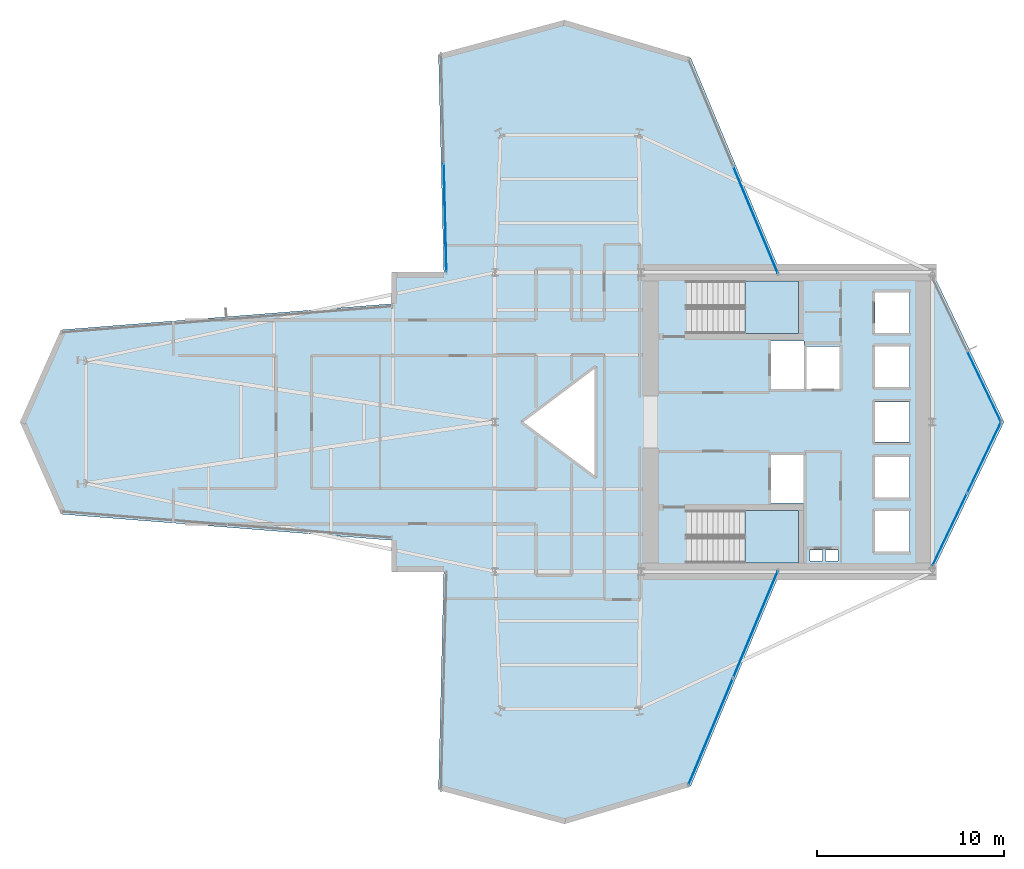
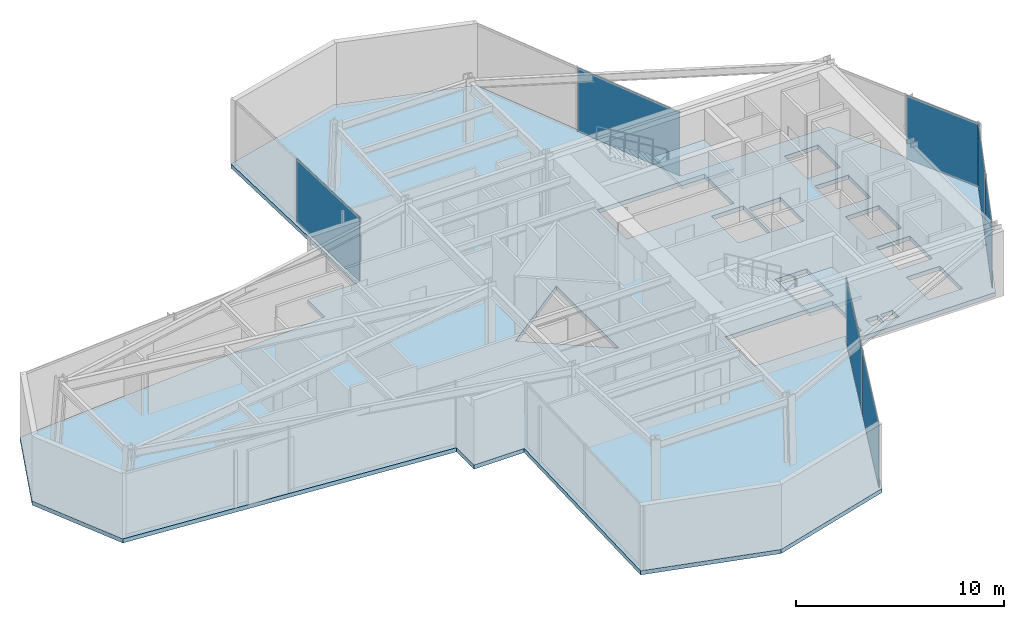
# One storey, part 20 of 25: 7 plates, 3 slabs, 7 elements without a shape of their own.
"""IFC4 building model written with IfcOpenShell, lengths in metres."""

from ifc_helpers import new_model, si_unit, direction, frame, origin, origin_2d, place, context, subcontext, project, spatial, polyline, rectangle, outline, extrude, material, layer, layer_set, type_object, element, aggregate, save


model = new_model("IFC4")

# Units and contexts
model_context = context("Model", 3, precision=1e-05, world=origin(), true_north=direction((0.0, 1.0)))
body_context = subcontext(model_context, "Body", "Model", "MODEL_VIEW")
ifc_project = project(units=[si_unit("LENGTHUNIT", "METRE"), si_unit("AREAUNIT", "SQUARE_METRE"), si_unit("VOLUMEUNIT", "CUBIC_METRE"), si_unit("PLANEANGLEUNIT", "RADIAN"), si_unit("MASSUNIT", "GRAM", prefix="KILO")], contexts=[model_context])

# Site, building, storey
site_placement = place(None, origin())
site = spatial("IfcSite", under=ifc_project, at=site_placement, CompositionType="ELEMENT")
building_placement = place(site_placement, origin())
building = spatial("IfcBuilding", under=site, at=building_placement, Name="Veymaron Broadcast Tower", CompositionType="ELEMENT")
storey_placement = place(building_placement, frame((0.0, 0.0, 82.35009765625)))
storey = spatial("IfcBuildingStorey", under=building, at=storey_placement, Name="L18", CompositionType="ELEMENT", Elevation=82.35009765625)

# Curtain wall, plates
ifc_material_1 = material(Name="Anodised aluminium AA 6063-T6 and laminated low-E dark glass", Category="aluminium")
ifc_layer_1 = layer(ifc_material_1, 0.179931640625)
ifc_layer_set_1 = layer_set([ifc_layer_1], Name="Anodised aluminium AA 6063-T6 and laminated low-E dark glass")
curtain_wall_type = type_object("IfcCurtainWallType", Name="CW-SYS-02", PredefinedType="NOTDEFINED", material=ifc_layer_set_1)
curtain_wall_1_placement = place(storey_placement, origin())
curtain_wall_1 = element("IfcCurtainWall", 1, at=curtain_wall_1_placement, inside=storey, type_object=curtain_wall_type, Name="L18 dark-glass curtain wall CW-L18-E2-1", PredefinedType="NOTDEFINED")
ifc_material_2 = material(Name="Double-silver solar-control dark glass IGU 32 mm", Category="glass")
ifc_layer_2 = layer(ifc_material_2, 0.031982421875)
ifc_layer_set_2 = layer_set([ifc_layer_2], Name="Double-silver solar-control dark glass IGU 32 mm")
plate_type = type_object("IfcPlateType", Name="CW-PNL-02", PredefinedType="CURTAIN_PANEL", material=ifc_layer_set_2)
plate_1_placement = place(storey_placement, frame((55.52099609375, 18.2529296875, 0.039794921875), z_axis=(0.0, 0.0, 1.0), x_axis=(0.431078122851, 0.902314608105, 0.0)))
plate_1 = element("IfcPlate", 2, at=plate_1_placement, type_object=plate_type, Name="CW-L18-E2-1 unitised curtain panel 0", PredefinedType="CURTAIN_PANEL", context=body_context, shape_type="SweptSolid", body=[
    extrude(rectangle(XDim=4.23095703125, YDim=0.031982421875, at=origin_2d()), origin(), (0.0, 0.0, 1.0), 3.72998046875),
])
plate_2_placement = place(storey_placement, frame((57.370849609375, 22.12451171875, 0.039794921875), z_axis=(0.0, 0.0, 1.0), x_axis=(0.431078122851, 0.902314608105, 0.0)))
plate_2 = element("IfcPlate", 3, at=plate_2_placement, type_object=plate_type, Name="CW-L18-E2-1 unitised curtain panel 1", PredefinedType="CURTAIN_PANEL", context=body_context, shape_type="SweptSolid", body=[
    extrude(rectangle(XDim=4.23095703125, YDim=0.031982421875, at=origin_2d()), origin(), (0.0, 0.0, 1.0), 3.72998046875),
])
aggregate(curtain_wall_1, [plate_1, plate_2])

# Curtain wall, plate
curtain_wall_2_placement = place(storey_placement, origin())
curtain_wall_2 = element("IfcCurtainWall", 4, at=curtain_wall_2_placement, inside=storey, type_object=curtain_wall_type, Name="L18 dark-glass curtain wall CW-L18-E3-1", PredefinedType="NOTDEFINED")
plate_3_placement = place(storey_placement, frame((57.370849609375, 25.87548828125, 0.039794921875), z_axis=(0.0, 0.0, 1.0), x_axis=(-0.431078122851, 0.902314608105, 0.0)))
plate_3 = element("IfcPlate", 5, at=plate_3_placement, type_object=plate_type, Name="CW-L18-E3-1 unitised curtain panel 0", PredefinedType="CURTAIN_PANEL", context=body_context, shape_type="SweptSolid", body=[
    extrude(rectangle(XDim=4.23095703125, YDim=0.031982421875, at=origin_2d()), origin(), (0.0, 0.0, 1.0), 3.72998046875),
])
aggregate(curtain_wall_2, [plate_3])

curtain_wall_3_placement = place(storey_placement, origin())
curtain_wall_3 = element("IfcCurtainWall", 6, at=curtain_wall_3_placement, inside=storey, type_object=curtain_wall_type, Name="L18 dark-glass curtain wall CW-L18-E5-1", PredefinedType="NOTDEFINED")
plate_4_placement = place(storey_placement, frame((45.13720703125, 34.81689453125, 0.039794921875), z_axis=(0.0, 0.0, 1.0), x_axis=(-0.3854873681, 0.922713113072, 0.0)))
plate_4 = element("IfcPlate", 7, at=plate_4_placement, type_object=plate_type, Name="CW-L18-E5-1 unitised curtain panel 0", PredefinedType="CURTAIN_PANEL", context=body_context, shape_type="SweptSolid", body=[
    extrude(rectangle(XDim=6.1630859375, YDim=0.031982421875, at=origin_2d()), origin(), (0.0, 0.0, 1.0), 3.72998046875),
])
aggregate(curtain_wall_3, [plate_4])

curtain_wall_4_placement = place(storey_placement, origin())
curtain_wall_4 = element("IfcCurtainWall", 8, at=curtain_wall_4_placement, inside=storey, type_object=curtain_wall_type, Name="L18 dark-glass curtain wall CW-L18-E8-1", PredefinedType="NOTDEFINED")
plate_5_placement = place(storey_placement, frame((28.537353515625, 34.919921875, 0.039794921875), z_axis=(0.0, 0.0, 1.0), x_axis=(0.024379833872, -0.999702767677, 0.0)))
plate_5 = element("IfcPlate", 9, at=plate_5_placement, type_object=plate_type, Name="CW-L18-E8-1 unitised curtain panel 1", PredefinedType="CURTAIN_PANEL", context=body_context, shape_type="SweptSolid", body=[
    extrude(rectangle(XDim=5.774658203125, YDim=0.031982421875, at=origin_2d()), origin(), (0.0, 0.0, 1.0), 3.72998046875),
])
aggregate(curtain_wall_4, [plate_5])

# Curtain wall, plates
curtain_wall_5_placement = place(storey_placement, origin())
curtain_wall_5 = element("IfcCurtainWall", 10, at=curtain_wall_5_placement, inside=storey, type_object=curtain_wall_type, Name="L18 dark-glass curtain wall CW-L18-E20-1", PredefinedType="NOTDEFINED")
plate_6_placement = place(storey_placement, frame((42.73828125, 7.44091796875, 0.039794921875), z_axis=(0.0, 0.0, 1.0), x_axis=(0.3854873681, 0.922713113072, 0.0)))
plate_6 = element("IfcPlate", 11, at=plate_6_placement, type_object=plate_type, Name="CW-L18-E20-1 unitised curtain panel 0", PredefinedType="CURTAIN_PANEL", context=body_context, shape_type="SweptSolid", body=[
    extrude(rectangle(XDim=6.1630859375, YDim=0.031982421875, at=origin_2d()), origin(), (0.0, 0.0, 1.0), 3.72998046875),
])
plate_7_placement = place(storey_placement, frame((45.13720703125, 13.18310546875, 0.039794921875), z_axis=(0.0, 0.0, 1.0), x_axis=(0.3854873681, 0.922713113072, 0.0)))
plate_7 = element("IfcPlate", 12, at=plate_7_placement, type_object=plate_type, Name="CW-L18-E20-1 unitised curtain panel 1", PredefinedType="CURTAIN_PANEL", context=body_context, shape_type="SweptSolid", body=[
    extrude(rectangle(XDim=6.1630859375, YDim=0.031982421875, at=origin_2d()), origin(), (0.0, 0.0, 1.0), 3.72998046875),
])
aggregate(curtain_wall_5, [plate_6, plate_7])

# Slab
ifc_material_3 = material(Name="Concrete C40/50", Category="concrete")
ifc_layer_3 = layer(ifc_material_3, 0.239990234375)
ifc_layer_set_3 = layer_set([ifc_layer_3], Name="Concrete C40/50")
slab_type_1 = type_object("IfcSlabType", Name="SLAB-FS6", PredefinedType="FLOOR", material=ifc_layer_set_3)
slab_1_placement = place(storey_placement, frame((0.0, 0.0, -0.239990234375)))
element("IfcSlab", 13, at=slab_1_placement, inside=storey, type_object=slab_type_1, Name="L18 structural floor slab", PredefinedType="FLOOR", context=body_context, shape_type="SweptSolid", body=[
    extrude(outline(polyline([(46.4658203125, 16.0), (54.60009765625, 16.0), (58.422119140625, 24.0), (54.60009765625, 32.0), (46.4658203125, 32.0), (41.66796875, 43.48388671875), (34.926025390625, 45.486083984375), (28.18408203125, 43.666015625), (28.468505859375, 32.0), (25.68798828125, 32.0), (25.68798828125, 30.32470703125), (8.0, 28.927001953125), (5.81591796875, 24.0), (8.0, 19.072998046875), (25.68798828125, 17.67529296875), (25.68798828125, 16.0), (28.468505859375, 16.0), (28.18408203125, 4.333984375), (34.926025390625, 2.513916015625), (41.66796875, 4.51611328125), (46.4658203125, 16.0)]), holes=[polyline([(45.969970703125, 28.330078125), (47.72998046875, 28.330078125), (47.72998046875, 25.77001953125), (45.969970703125, 25.77001953125), (45.969970703125, 28.330078125)]), polyline([(45.969970703125, 22.22998046875), (47.72998046875, 22.22998046875), (47.72998046875, 19.669921875), (45.969970703125, 19.669921875), (45.969970703125, 22.22998046875)]), polyline([(47.8701171875, 28.030029296875), (49.6298828125, 28.030029296875), (49.6298828125, 25.77001953125), (47.8701171875, 25.77001953125), (47.8701171875, 28.030029296875)]), polyline([(51.52001953125, 30.929931640625), (53.3798828125, 30.929931640625), (53.3798828125, 28.77001953125), (51.52001953125, 28.77001953125), (51.52001953125, 30.929931640625)]), polyline([(51.52001953125, 28.030029296875), (53.3798828125, 28.030029296875), (53.3798828125, 25.8701171875), (51.52001953125, 25.8701171875), (51.52001953125, 28.030029296875)]), polyline([(51.52001953125, 22.1298828125), (53.3798828125, 22.1298828125), (53.3798828125, 19.969970703125), (51.52001953125, 19.969970703125), (51.52001953125, 22.1298828125)]), polyline([(51.52001953125, 25.080078125), (53.3798828125, 25.080078125), (53.3798828125, 22.919921875), (51.52001953125, 22.919921875), (51.52001953125, 25.080078125)]), polyline([(51.52001953125, 19.22998046875), (53.3798828125, 19.22998046875), (53.3798828125, 17.070068359375), (51.52001953125, 17.070068359375), (51.52001953125, 19.22998046875)]), polyline([(48.050048828125, 17.159912109375), (48.719970703125, 17.159912109375), (48.719970703125, 16.56005859375), (48.050048828125, 16.56005859375), (48.050048828125, 17.159912109375)]), polyline([(48.8798828125, 17.159912109375), (49.550048828125, 17.159912109375), (49.550048828125, 16.56005859375), (48.8798828125, 16.56005859375), (48.8798828125, 17.159912109375)]), polyline([(36.60009765625, 27.0), (36.60009765625, 21.0), (32.60009765625, 24.0), (36.60009765625, 27.0)]), polyline([(41.489990234375, 31.550048828125), (47.43994140625, 31.550048828125), (47.43994140625, 28.72998046875), (41.489990234375, 28.72998046875), (41.489990234375, 31.550048828125)]), polyline([(41.489990234375, 19.27001953125), (47.43994140625, 19.27001953125), (47.43994140625, 16.449951171875), (41.489990234375, 16.449951171875), (41.489990234375, 19.27001953125)])]), origin(), (0.0, 0.0, 1.0), 0.239990234375),
])

# Stair, slab
ifc_material_4 = material(Name="Concrete C50/60", Category="concrete")
stair_type_1 = type_object("IfcStairType", Name="STAIR-CORE-1", PredefinedType="HALF_TURN_STAIR", material=ifc_material_4)
stair_1_placement = place(storey_placement, origin())
stair_1 = element("IfcStair", 14, at=stair_1_placement, inside=storey, type_object=stair_type_1, Name="L18 North protected dog-leg exit stair ST1", PredefinedType="HALF_TURN_STAIR")
ifc_layer_4 = layer(ifc_material_4, 0.199951171875)
ifc_layer_set_4 = layer_set([ifc_layer_4], Name="Concrete C50/60")
slab_type_2 = type_object("IfcSlabType", Name="SLAB-STAIR-LDG", PredefinedType="LANDING", material=ifc_layer_set_4)
slab_2_placement = place(storey_placement, frame((0.0, 0.0, 1.824951171875)))
slab_2 = element("IfcSlab", 15, at=slab_2_placement, type_object=slab_type_2, Name="ST1 landing 1", PredefinedType="LANDING", context=body_context, shape_type="SweptSolid", body=[
    extrude(outline(polyline([(44.56494140625, 28.72998046875), (47.43994140625, 28.72998046875), (47.43994140625, 31.550048828125), (44.56494140625, 31.550048828125), (44.56494140625, 28.72998046875)])), origin(), (0.0, 0.0, 1.0), 0.199951171875),
])
aggregate(stair_1, [slab_2])

stair_type_2 = type_object("IfcStairType", Name="STAIR-CORE-2", PredefinedType="HALF_TURN_STAIR", material=ifc_material_4)
stair_2_placement = place(storey_placement, origin())
stair_2 = element("IfcStair", 16, at=stair_2_placement, inside=storey, type_object=stair_type_2, Name="L18 South protected dog-leg exit stair ST2", PredefinedType="HALF_TURN_STAIR")
slab_3_placement = place(storey_placement, frame((0.0, 0.0, 1.824951171875)))
slab_3 = element("IfcSlab", 17, at=slab_3_placement, type_object=slab_type_2, Name="ST2 landing 1", PredefinedType="LANDING", context=body_context, shape_type="SweptSolid", body=[
    extrude(outline(polyline([(44.56494140625, 16.449951171875), (47.43994140625, 16.449951171875), (47.43994140625, 19.27001953125), (44.56494140625, 19.27001953125), (44.56494140625, 16.449951171875)])), origin(), (0.0, 0.0, 1.0), 0.199951171875),
])
aggregate(stair_2, [slab_3])

save(model, "model.ifc")
